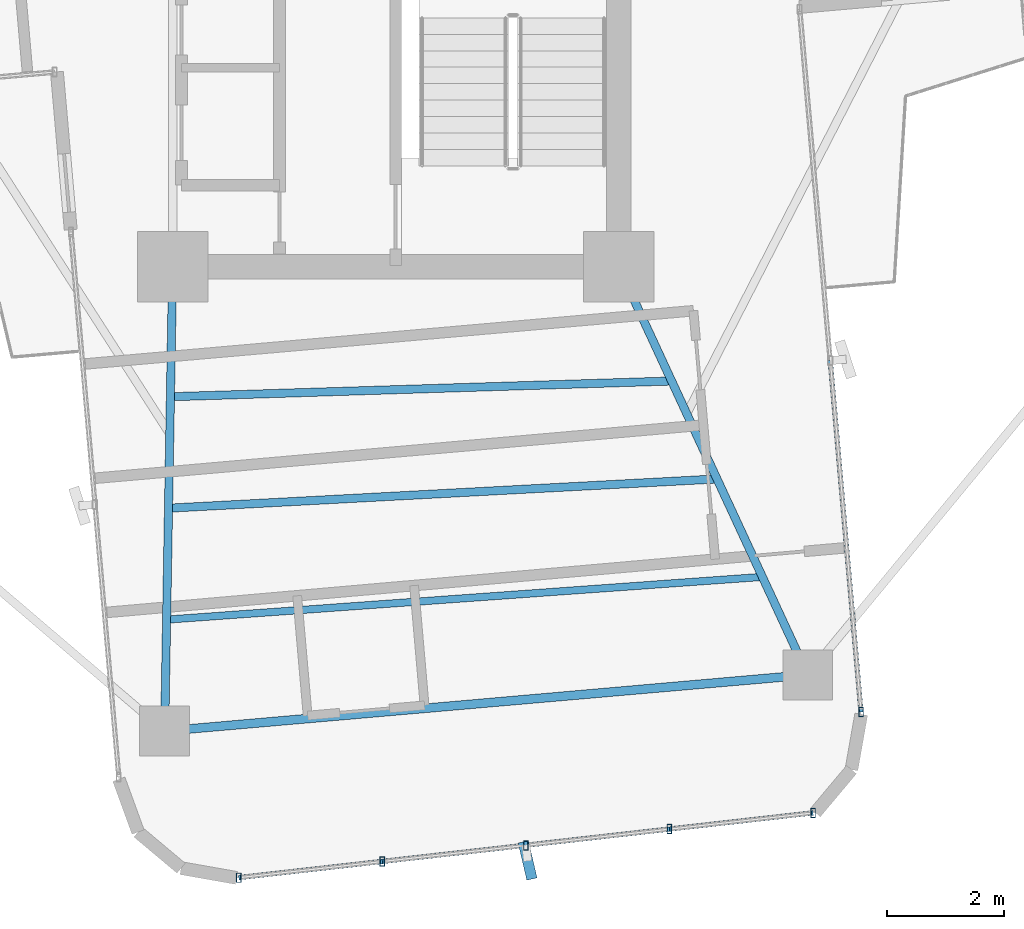
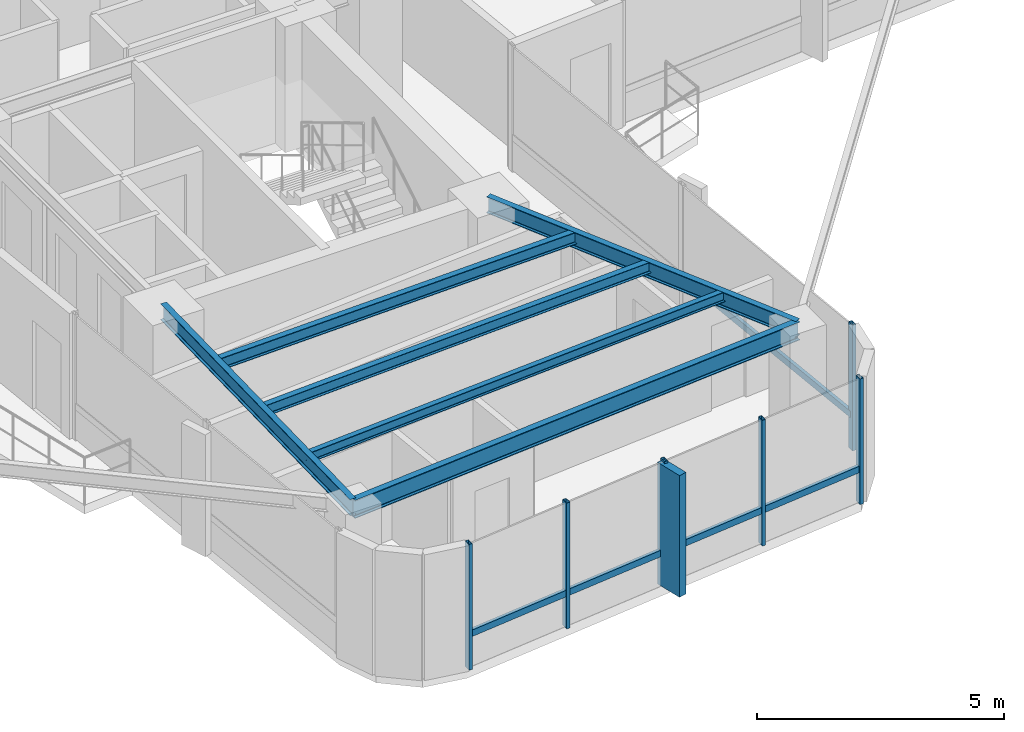
# One storey, part 6 of 24: 12 members, 6 beams, 2 elements without a shape of their own.
"""IFC4 building model written with IfcOpenShell, lengths in metres."""

from ifc_helpers import new_model, si_unit, direction, frame, origin, origin_2d, place, context, subcontext, project, spatial, rectangle, hollow_rectangle, i_section, extrude, source, transform, mapped, material, material_profile, profile_set, type_object, element, aggregate, save


model = new_model("IFC4")

# Units and contexts
model_context = context("Model", 3, precision=1e-05, world=origin(), true_north=direction((0.0, 1.0)))
body_context = subcontext(model_context, "Body", "Model", "MODEL_VIEW")
ifc_project = project(units=[si_unit("LENGTHUNIT", "METRE"), si_unit("AREAUNIT", "SQUARE_METRE"), si_unit("VOLUMEUNIT", "CUBIC_METRE"), si_unit("PLANEANGLEUNIT", "RADIAN"), si_unit("MASSUNIT", "GRAM", prefix="KILO")], contexts=[model_context])

# Site, building, storey
site_placement = place(None, origin())
site = spatial("IfcSite", under=ifc_project, at=site_placement, CompositionType="ELEMENT")
building_placement = place(site_placement, origin())
building = spatial("IfcBuilding", under=site, at=building_placement, Name="Sahyath Konkavel Grand Hotel", CompositionType="ELEMENT")
storey_placement = place(building_placement, frame((0.0, 0.0, 191.949951171875)))
storey = spatial("IfcBuildingStorey", under=building, at=storey_placement, Name="L53", CompositionType="ELEMENT", Elevation=191.949951171875)

# Beams
ifc_material_1 = material(Name="Steel E350", Category="steel")
ifc_material_profile_1 = material_profile(ifc_material_1, i_section(OverallWidth=0.139892578125, OverallDepth=0.39990234375, WebThickness=0.0087890625, FlangeThickness=0.01611328125, FilletRadius=0.013916015625, at=origin_2d()), Name="ISMB 400")
ifc_profile_set_1 = profile_set([ifc_material_profile_1], Name="Steel E350")
beam_type_1 = type_object("IfcBeamType", Name="BM-ISMB400", PredefinedType="BEAM", material=ifc_profile_set_1)
shared_shape_1 = source(origin(), body_context, "Body", "SweptSolid", [
    extrude(i_section(OverallWidth=0.139892578125, OverallDepth=0.39990234375, WebThickness=0.0087890625, FlangeThickness=0.01611328125, FilletRadius=0.013916015625, at=origin_2d()), origin(), (0.0, 0.0, 1.0), 7.913330078125),
])
beam_1_placement = place(storey_placement, frame((-3.800048828125, -10.199951171875, 2.91015625), z_axis=(-0.017215419232, -0.999851803689, 0.0), x_axis=(0.999851803689, -0.017215419232, 0.0)))
element("IfcBeam", 1, at=beam_1_placement, inside=storey, type_object=beam_type_1, Name="L53 Cruciform Radial Girder SA", PredefinedType="BEAM", context=body_context, shape_type="MappedRepresentation", body=[
    mapped(shared_shape_1, transform((0.0, 0.0, 0.0), scale=1.0)),
])
shared_shape_2 = source(origin(), body_context, "Body", "SweptSolid", [
    extrude(i_section(OverallWidth=0.139892578125, OverallDepth=0.39990234375, WebThickness=0.0087890625, FlangeThickness=0.01611328125, FilletRadius=0.013916015625, at=origin_2d()), origin(), (0.0, 0.0, 1.0), 7.66357421875),
])
beam_2_placement = place(storey_placement, frame((3.800048828125, -10.199951171875, 2.91015625), z_axis=(0.420395127561, -0.907341135804, 0.0), x_axis=(0.907341135804, 0.420395127561, 0.0)))
element("IfcBeam", 2, at=beam_2_placement, inside=storey, type_object=beam_type_1, Name="L53 Cruciform Radial Girder SB", PredefinedType="BEAM", context=body_context, shape_type="MappedRepresentation", body=[
    mapped(shared_shape_2, transform((0.0, 0.0, 0.0), scale=1.0)),
])
ifc_material_profile_2 = material_profile(ifc_material_1, i_section(OverallWidth=0.14990234375, OverallDepth=0.449951171875, WebThickness=0.009521484375, FlangeThickness=0.017333984375, FilletRadius=0.014892578125, at=origin_2d()), Name="ISMB 450")
ifc_profile_set_2 = profile_set([ifc_material_profile_2], Name="Steel E350")
beam_type_2 = type_object("IfcBeamType", Name="BM-ISMB450", PredefinedType="BEAM", material=ifc_profile_set_2)
shared_shape_3 = source(origin(), body_context, "Body", "SweptSolid", [
    extrude(i_section(OverallWidth=0.14990234375, OverallDepth=0.449951171875, WebThickness=0.009521484375, FlangeThickness=0.017333984375, FilletRadius=0.014892578125, at=origin_2d()), origin(), (0.0, 0.0, 1.0), 10.999755859375),
])
beam_3_placement = place(storey_placement, frame((-3.936279296875, -18.112060546875, 2.885009765625), z_axis=(0.99619439202, 0.087159241098, 0.0), x_axis=(-0.087159241098, 0.99619439202, 0.0)))
element("IfcBeam", 3, at=beam_3_placement, inside=storey, type_object=beam_type_2, Name="L53 Wing Tip Edge Beam S", PredefinedType="BEAM", context=body_context, shape_type="MappedRepresentation", body=[
    mapped(shared_shape_3, transform((0.0, 0.0, 0.0), scale=1.0)),
])
ifc_material_profile_3 = material_profile(ifc_material_1, i_section(OverallWidth=0.139892578125, OverallDepth=0.300048828125, WebThickness=0.0078125, FlangeThickness=0.01318359375, FilletRadius=0.013916015625, at=origin_2d()), Name="ISMB 300")
ifc_profile_set_3 = profile_set([ifc_material_profile_3], Name="Steel E350")
beam_type_3 = type_object("IfcBeamType", Name="BM-ISMB300", PredefinedType="BEAM", material=ifc_profile_set_3)
shared_shape_4 = source(origin(), body_context, "Body", "SweptSolid", [
    extrude(i_section(OverallWidth=0.139892578125, OverallDepth=0.300048828125, WebThickness=0.0078125, FlangeThickness=0.01318359375, FilletRadius=0.013916015625, at=origin_2d()), origin(), (0.0, 0.0, 1.0), 8.54443359375),
])
beam_4_placement = place(storey_placement, frame((-3.838134765625, -12.415283203125, 2.9599609375), z_axis=(0.999506849365, 0.031401561632, 0.0), x_axis=(-0.031401561632, 0.999506849365, 0.0)))
element("IfcBeam", 4, at=beam_4_placement, inside=storey, type_object=beam_type_3, Name="L53 Secondary Floor Beam S-1", PredefinedType="BEAM", context=body_context, shape_type="MappedRepresentation", body=[
    mapped(shared_shape_4, transform((0.0, 0.0, 0.0), scale=1.0)),
])
ifc_material_profile_4 = material_profile(ifc_material_1, i_section(OverallWidth=0.139892578125, OverallDepth=0.27490234375, WebThickness=0.00634765625, FlangeThickness=0.0087890625, FilletRadius=0.012939453125, at=origin_2d()), Name="ISLB 275")
ifc_profile_set_4 = profile_set([ifc_material_profile_4], Name="Steel E350")
beam_type_4 = type_object("IfcBeamType", Name="BM-ISLB275", PredefinedType="BEAM", material=ifc_profile_set_4)
shared_shape_5 = source(origin(), body_context, "Body", "SweptSolid", [
    extrude(i_section(OverallWidth=0.139892578125, OverallDepth=0.27490234375, WebThickness=0.00634765625, FlangeThickness=0.0087890625, FilletRadius=0.012939453125, at=origin_2d()), origin(), (0.0, 0.0, 1.0), 9.359375),
])
beam_5_placement = place(storey_placement, frame((-3.870849609375, -14.314208984375, 2.97265625), z_axis=(0.998580397723, 0.053265272769, 0.0), x_axis=(-0.053265272769, 0.998580397723, 0.0)))
element("IfcBeam", 5, at=beam_5_placement, inside=storey, type_object=beam_type_4, Name="L53 Secondary Floor Beam S-2", PredefinedType="BEAM", context=body_context, shape_type="MappedRepresentation", body=[
    mapped(shared_shape_5, transform((0.0, 0.0, 0.0), scale=1.0)),
])
ifc_material_profile_5 = material_profile(ifc_material_1, i_section(OverallWidth=0.125, OverallDepth=0.25, WebThickness=0.0068359375, FlangeThickness=0.012451171875, FilletRadius=0.012939453125, at=origin_2d()), Name="ISMB 250")
ifc_profile_set_5 = profile_set([ifc_material_profile_5], Name="Steel E350")
beam_type_5 = type_object("IfcBeamType", Name="BM-ISMB250", PredefinedType="BEAM", material=ifc_profile_set_5)
shared_shape_6 = source(origin(), body_context, "Body", "SweptSolid", [
    extrude(i_section(OverallWidth=0.125, OverallDepth=0.25, WebThickness=0.0068359375, FlangeThickness=0.012451171875, FilletRadius=0.012939453125, at=origin_2d()), origin(), (0.0, 0.0, 1.0), 10.178466796875),
])
beam_6_placement = place(storey_placement, frame((-3.90380859375, -16.213134765625, 2.985107421875), z_axis=(0.997435268886, 0.071574327683, 0.0), x_axis=(-0.071574327683, 0.997435268886, 0.0)))
element("IfcBeam", 6, at=beam_6_placement, inside=storey, type_object=beam_type_5, Name="L53 Secondary Floor Beam S-3", PredefinedType="BEAM", context=body_context, shape_type="MappedRepresentation", body=[
    mapped(shared_shape_6, transform((0.0, 0.0, 0.0), scale=1.0)),
])

# Curtain wall, members
ifc_material_2 = material(Name="Anodised Bronze Aluminium & Low-E Glazing", Category="aluminium")
curtain_wall_type = type_object("IfcCurtainWallType", Name="CW-ZONE3", PredefinedType="NOTDEFINED", material=ifc_material_2)
curtain_wall_1_placement = place(storey_placement, origin())
curtain_wall_1 = element("IfcCurtainWall", 7, at=curtain_wall_1_placement, inside=storey, type_object=curtain_wall_type, Name="L53 Unitised Curtain Wall F28", PredefinedType="NOTDEFINED")
ifc_material_3 = material(Name="Warm Buff Sandstone Cladding on Concrete C50/60", Category="masonry")
ifc_material_profile_6 = material_profile(ifc_material_3, rectangle(XDim=0.179931640625, YDim=0.64990234375, at=origin_2d()), Name="FIN 180x650")
ifc_profile_set_6 = profile_set([ifc_material_profile_6], Name="Warm Buff Sandstone Cladding on Concrete C50/60")
member_type_1 = type_object("IfcMemberType", Name="FIN-SANDSTONE-650", PredefinedType="MULLION", material=ifc_profile_set_6)
shared_shape_7 = source(origin(), body_context, "Body", "SweptSolid", [
    extrude(rectangle(XDim=0.179931640625, YDim=0.64990234375, at=origin_2d()), origin(), (0.0, 0.0, 1.0), 3.010009765625),
])
member_1_placement = place(storey_placement, frame((2.248291015625, -20.3173828125, 0.050048828125), z_axis=(0.0, 0.0, 1.0), x_axis=(0.973896791711, 0.226991275371, 0.0)))
member_1 = element("IfcMember", 8, at=member_1_placement, type_object=member_type_1, Name="L53 Sandstone Vertical Solar Fin FIN F28-2", PredefinedType="MULLION", context=body_context, shape_type="MappedRepresentation", body=[
    mapped(shared_shape_7, transform((0.0, 0.0, 0.0), scale=1.0)),
])
ifc_material_4 = material(Name="Anodised Bronze Aluminium", Category="aluminium")
ifc_material_profile_7 = material_profile(ifc_material_4, hollow_rectangle(XDim=0.080078125, YDim=0.159912109375, WallThickness=0.006103515625, at=origin_2d()), Name="RHS 160x80x6")
ifc_profile_set_7 = profile_set([ifc_material_profile_7], Name="Anodised Bronze Aluminium")
member_type_2 = type_object("IfcMemberType", Name="CW-MUL-160", PredefinedType="MULLION", material=ifc_profile_set_7)
shared_shape_8 = source(origin(), body_context, "Body", "SweptSolid", [
    extrude(hollow_rectangle(XDim=0.080078125, YDim=0.159912109375, WallThickness=0.006103515625, at=origin_2d()), origin(), (0.0, 0.0, 1.0), 3.110107421875),
])
member_2_placement = place(storey_placement, frame((-2.673828125, -20.610595703125, 0.0), z_axis=(0.0, 0.0, 1.0), x_axis=(1.0, 0.0, 0.0)))
member_2 = element("IfcMember", 9, at=member_2_placement, type_object=member_type_2, Name="L53 Curtain Wall Mullion F28-0", PredefinedType="MULLION", context=body_context, shape_type="MappedRepresentation", body=[
    mapped(shared_shape_8, transform((0.0, 0.0, 0.0), scale=1.0)),
])
member_3_placement = place(storey_placement, frame((-0.227294921875, -20.334716796875, 0.0), z_axis=(0.0, 0.0, 1.0), x_axis=(1.0, 0.0, 0.0)))
member_3 = element("IfcMember", 10, at=member_3_placement, type_object=member_type_2, Name="L53 Curtain Wall Mullion F28-1", PredefinedType="MULLION", context=body_context, shape_type="MappedRepresentation", body=[
    mapped(shared_shape_8, transform((0.0, 0.0, 0.0), scale=1.0)),
])
member_4_placement = place(storey_placement, frame((2.21923828125, -20.05908203125, 0.0), z_axis=(0.0, 0.0, 1.0), x_axis=(1.0, 0.0, 0.0)))
member_4 = element("IfcMember", 11, at=member_4_placement, type_object=member_type_2, Name="L53 Curtain Wall Mullion F28-2", PredefinedType="MULLION", context=body_context, shape_type="MappedRepresentation", body=[
    mapped(shared_shape_8, transform((0.0, 0.0, 0.0), scale=1.0)),
])
member_5_placement = place(storey_placement, frame((4.665771484375, -19.783203125, 0.0), z_axis=(0.0, 0.0, 1.0), x_axis=(1.0, 0.0, 0.0)))
member_5 = element("IfcMember", 12, at=member_5_placement, type_object=member_type_2, Name="L53 Curtain Wall Mullion F28-3", PredefinedType="MULLION", context=body_context, shape_type="MappedRepresentation", body=[
    mapped(shared_shape_8, transform((0.0, 0.0, 0.0), scale=1.0)),
])
member_6_placement = place(storey_placement, frame((7.1123046875, -19.507568359375, 0.0), z_axis=(0.0, 0.0, 1.0), x_axis=(1.0, 0.0, 0.0)))
member_6 = element("IfcMember", 13, at=member_6_placement, type_object=member_type_2, Name="L53 Curtain Wall Mullion F28-4", PredefinedType="MULLION", context=body_context, shape_type="MappedRepresentation", body=[
    mapped(shared_shape_8, transform((0.0, 0.0, 0.0), scale=1.0)),
])

# Curtain wall, member
curtain_wall_2_placement = place(storey_placement, origin())
curtain_wall_2 = element("IfcCurtainWall", 14, at=curtain_wall_2_placement, inside=storey, type_object=curtain_wall_type, Name="L53 Unitised Curtain Wall F31", PredefinedType="NOTDEFINED")
member_7_placement = place(storey_placement, frame((7.930419921875, -17.78662109375, 0.0), z_axis=(0.0, 0.0, 1.0), x_axis=(1.0, 0.0, 0.0)))
member_7 = element("IfcMember", 15, at=member_7_placement, type_object=member_type_2, Name="L53 Curtain Wall Mullion F31-0", PredefinedType="MULLION", context=body_context, shape_type="MappedRepresentation", body=[
    mapped(shared_shape_8, transform((0.0, 0.0, 0.0), scale=1.0)),
])

# Member
ifc_material_profile_8 = material_profile(ifc_material_4, hollow_rectangle(XDim=0.080078125, YDim=0.159912109375, WallThickness=0.006103515625, at=origin_2d()), Name="RHS 160x80x6")
ifc_profile_set_8 = profile_set([ifc_material_profile_8], Name="Anodised Bronze Aluminium")
member_type_3 = type_object("IfcMemberType", Name="CW-TRN-160", PredefinedType="USERDEFINED", material=ifc_profile_set_8)
shared_shape_9 = source(origin(), body_context, "Body", "SweptSolid", [
    extrude(hollow_rectangle(XDim=0.080078125, YDim=0.159912109375, WallThickness=0.006103515625, at=origin_2d()), origin(), (0.0, 0.0, 1.0), 2.462158203125),
])
member_8_placement = place(storey_placement, frame((-2.673828125, -20.610595703125, 0.85009765625), z_axis=(0.99370222711, 0.112053040279, 0.0), x_axis=(-0.112053040279, 0.99370222711, 0.0)))
member_8 = element("IfcMember", 16, at=member_8_placement, type_object=member_type_3, Name="L53 Curtain Wall Transom F28-0-spandrel", ObjectType="TRANSOM", PredefinedType="USERDEFINED", context=body_context, shape_type="MappedRepresentation", body=[
    mapped(shared_shape_9, transform((0.0, 0.0, 0.0), scale=1.0)),
])

member_9_placement = place(storey_placement, frame((2.21923828125, -20.05908203125, 0.85009765625), z_axis=(0.99370222711, 0.112053040279, 0.0), x_axis=(-0.112053040279, 0.99370222711, 0.0)))
member_9 = element("IfcMember", 17, at=member_9_placement, type_object=member_type_3, Name="L53 Curtain Wall Transom F28-2-spandrel", ObjectType="TRANSOM", PredefinedType="USERDEFINED", context=body_context, shape_type="MappedRepresentation", body=[
    mapped(shared_shape_9, transform((0.0, 0.0, 0.0), scale=1.0)),
])

shared_shape_10 = source(origin(), body_context, "Body", "SweptSolid", [
    extrude(hollow_rectangle(XDim=0.080078125, YDim=0.159912109375, WallThickness=0.006103515625, at=origin_2d()), origin(), (0.0, 0.0, 1.0), 2.4619140625),
])
member_10_placement = place(storey_placement, frame((-0.227294921875, -20.334716796875, 0.85009765625), z_axis=(0.993713263833, 0.111955121731, 0.0), x_axis=(-0.111955121731, 0.993713263833, 0.0)))
member_10 = element("IfcMember", 18, at=member_10_placement, type_object=member_type_3, Name="L53 Curtain Wall Transom F28-1-spandrel", ObjectType="TRANSOM", PredefinedType="USERDEFINED", context=body_context, shape_type="MappedRepresentation", body=[
    mapped(shared_shape_10, transform((0.0, 0.0, 0.0), scale=1.0)),
])

member_11_placement = place(storey_placement, frame((4.665771484375, -19.783203125, 0.85009765625), z_axis=(0.993713263833, 0.111955121731, 0.0), x_axis=(-0.111955121731, 0.993713263833, 0.0)))
member_11 = element("IfcMember", 19, at=member_11_placement, type_object=member_type_3, Name="L53 Curtain Wall Transom F28-3-spandrel", ObjectType="TRANSOM", PredefinedType="USERDEFINED", context=body_context, shape_type="MappedRepresentation", body=[
    mapped(shared_shape_10, transform((0.0, 0.0, 0.0), scale=1.0)),
])

aggregate(curtain_wall_1, [member_2, member_3, member_4, member_1, member_5, member_6, member_8, member_10, member_9, member_11])

shared_shape_11 = source(origin(), body_context, "Body", "SweptSolid", [
    extrude(hollow_rectangle(XDim=0.080078125, YDim=0.159912109375, WallThickness=0.006103515625, at=origin_2d()), origin(), (0.0, 0.0, 1.0), 6.01025390625),
])
member_12_placement = place(storey_placement, frame((7.930419921875, -17.78662109375, 0.85009765625), z_axis=(-0.087172997156, 0.996193188376, 0.0), x_axis=(-0.996193188376, -0.087172997156, 0.0)))
member_12 = element("IfcMember", 20, at=member_12_placement, type_object=member_type_3, Name="L53 Curtain Wall Transom F31-0-spandrel", ObjectType="TRANSOM", PredefinedType="USERDEFINED", context=body_context, shape_type="MappedRepresentation", body=[
    mapped(shared_shape_11, transform((0.0, 0.0, 0.0), scale=1.0)),
])

aggregate(curtain_wall_2, [member_7, member_12])

save(model, "model.ifc")
